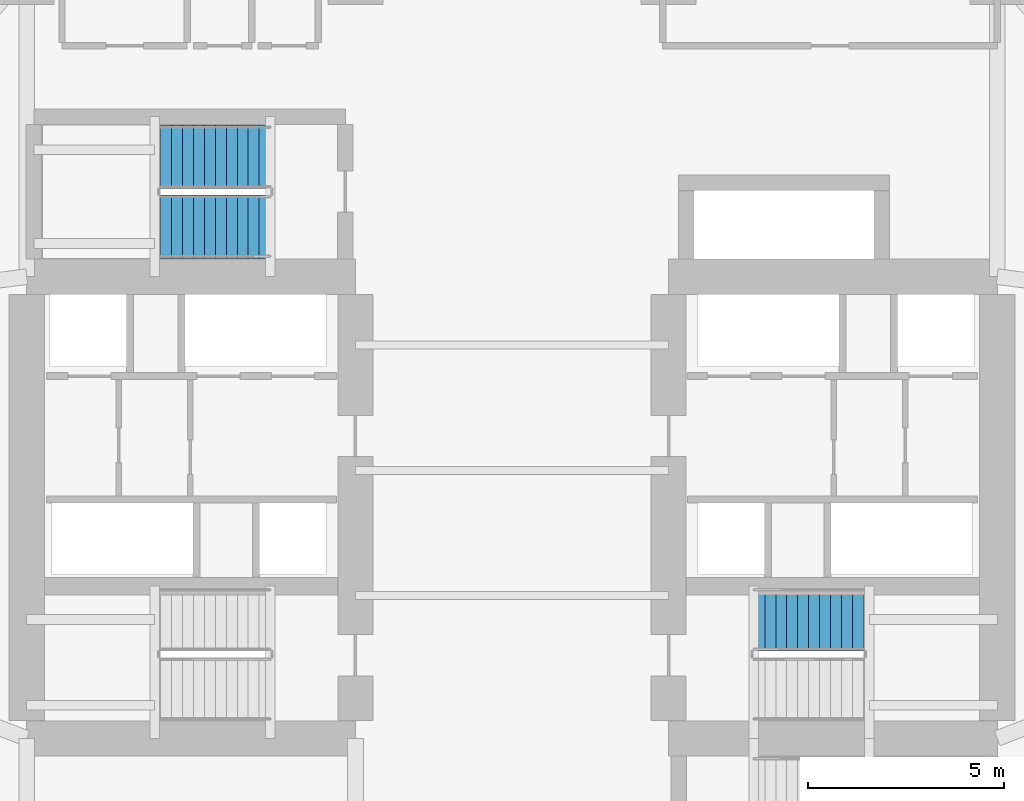
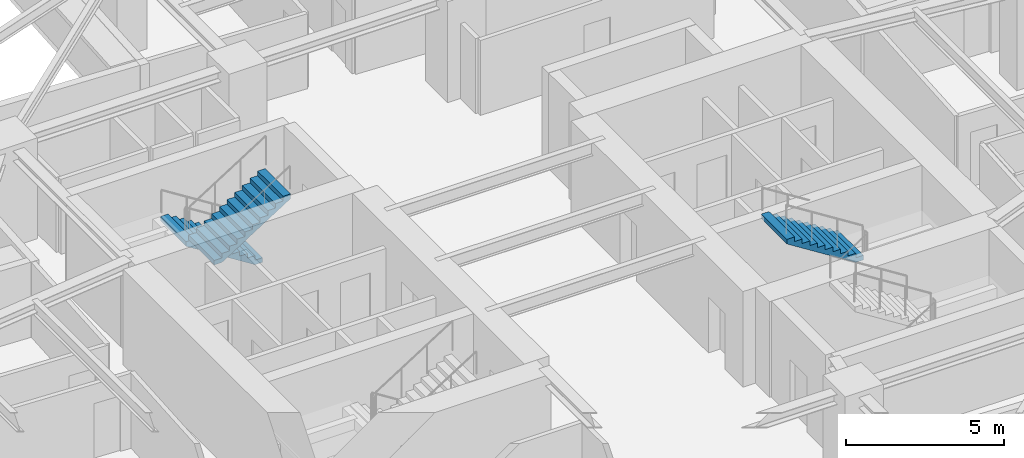
# One storey, part 9 of 14: 3 stair flights, 2 elements without a shape of their own.
"""IFC4 building model written with IfcOpenShell, lengths in metres."""

from ifc_helpers import new_model, si_unit, direction, frame, origin, place, context, subcontext, project, spatial, polyline, outline, extrude, material, layer, layer_set, type_object, element, aggregate, save


model = new_model("IFC4")

# Units and contexts
model_context = context("Model", 3, precision=1e-05, world=origin(), true_north=direction((0.0, 1.0)))
body_context = subcontext(model_context, "Body", "Model", "MODEL_VIEW")
ifc_project = project(units=[si_unit("LENGTHUNIT", "METRE"), si_unit("AREAUNIT", "SQUARE_METRE"), si_unit("VOLUMEUNIT", "CUBIC_METRE"), si_unit("PLANEANGLEUNIT", "RADIAN"), si_unit("MASSUNIT", "GRAM", prefix="KILO")], contexts=[model_context])

# Site, building, storey
site_placement = place(None, origin())
site = spatial("IfcSite", under=ifc_project, at=site_placement, CompositionType="ELEMENT")
building_placement = place(site_placement, origin())
building = spatial("IfcBuilding", under=site, at=building_placement, Name="Qingluan Cross Belvedere", CompositionType="ELEMENT")
storey_placement = place(building_placement, frame((0.0, 0.0, 75.60009765625)))
storey = spatial("IfcBuildingStorey", under=building, at=storey_placement, Name="L19", CompositionType="ELEMENT", Elevation=75.60009765625)

# Stair, stair flight
ifc_material_1 = material(Name="Concrete C40", Category="concrete")
stair_type = type_object("IfcStairType", Name="CoreDoglegStair_1620", PredefinedType="HALF_TURN_STAIR", material=ifc_material_1)
stair_1_placement = place(storey_placement, origin())
stair_1 = element("IfcStair", 1, at=stair_1_placement, inside=storey, type_object=stair_type, Name="L19 ST2", PredefinedType="HALF_TURN_STAIR")
ifc_material_2 = material(Name="Concrete C40", Category="concrete")
ifc_layer = layer(ifc_material_2, 0.179931640625, Name="StairFlight_RC180")
ifc_layer_set = layer_set([ifc_layer], Name="Concrete C40")
stair_flight_type = type_object("IfcStairFlightType", Name="StairFlight_RC180", PredefinedType="STRAIGHT", material=ifc_layer_set)
stair_flight_1_placement = place(storey_placement, frame((8.97998046875, -3.81005859375, 1.949951171875), z_axis=(0.0, 0.0, 1.0), x_axis=(-1.0, 0.0, 0.0)))
stair_flight_1 = element("IfcStairFlight", 2, at=stair_flight_1_placement, type_object=stair_flight_type, Name="ST2 flight 2", NumberOfRisers=11, NumberOfTreads=10, PredefinedType="STRAIGHT", RiserHeight=0.177272727, TreadLength=0.28, context=body_context, shape_type="SweptSolid", body=[
    extrude(outline(polyline([(0.0, 0.0), (0.0, 0.17724609375), (0.280029296875, 0.17724609375), (0.280029296875, 0.3544921875), (0.56005859375, 0.3544921875), (0.56005859375, 0.53173828125), (0.840087890625, 0.53173828125), (0.840087890625, 0.708984375), (1.1201171875, 0.708984375), (1.1201171875, 0.886474609375), (1.39990234375, 0.886474609375), (1.39990234375, 1.063720703125), (1.679931640625, 1.063720703125), (1.679931640625, 1.240966796875), (1.9599609375, 1.240966796875), (1.9599609375, 1.418212890625), (2.239990234375, 1.418212890625), (2.239990234375, 1.595458984375), (2.52001953125, 1.595458984375), (2.52001953125, 1.772705078125), (2.800048828125, 1.772705078125), (2.800048828125, 1.949951171875), (2.800048828125, 1.59521484375), (0.2802734375, 0.0), (0.0, 0.0)])), frame((0.0, 0.81005859375, 0.0), z_axis=(0.0, -1.0, 0.0), x_axis=(1.0, 0.0, 0.0)), (0.0, 0.0, 1.0), 1.6201171875),
])
aggregate(stair_1, [stair_flight_1])

# Stair, stair flights
stair_2_placement = place(storey_placement, origin())
stair_2 = element("IfcStair", 3, at=stair_2_placement, inside=storey, type_object=stair_type, Name="L19 ST3", PredefinedType="HALF_TURN_STAIR")
stair_flight_2_placement = place(storey_placement, frame((-6.179931640625, 8.010009765625, 0.0), z_axis=(0.0, 0.0, 1.0), x_axis=(-1.0, 0.0, 0.0)))
stair_flight_2 = element("IfcStairFlight", 4, at=stair_flight_2_placement, type_object=stair_flight_type, Name="ST3 flight 1", NumberOfRisers=11, NumberOfTreads=10, PredefinedType="STRAIGHT", RiserHeight=0.177272727, TreadLength=0.28, context=body_context, shape_type="SweptSolid", body=[
    extrude(outline(polyline([(0.0, 0.0), (0.0, 0.17724609375), (0.280029296875, 0.17724609375), (0.280029296875, 0.3544921875), (0.56005859375, 0.3544921875), (0.56005859375, 0.53173828125), (0.840087890625, 0.53173828125), (0.840087890625, 0.708984375), (1.1201171875, 0.708984375), (1.1201171875, 0.886474609375), (1.39990234375, 0.886474609375), (1.39990234375, 1.063720703125), (1.679931640625, 1.063720703125), (1.679931640625, 1.240966796875), (1.9599609375, 1.240966796875), (1.9599609375, 1.418212890625), (2.239990234375, 1.418212890625), (2.239990234375, 1.595458984375), (2.52001953125, 1.595458984375), (2.52001953125, 1.772705078125), (2.800048828125, 1.772705078125), (2.800048828125, 1.949951171875), (2.800048828125, 1.59521484375), (0.2802734375, 0.0), (0.0, 0.0)])), frame((0.0, 0.81005859375, 0.0), z_axis=(0.0, -1.0, 0.0), x_axis=(1.0, 0.0, 0.0)), (0.0, 0.0, 1.0), 1.6201171875),
])
stair_flight_3_placement = place(storey_placement, frame((-8.97998046875, 6.22998046875, 1.949951171875), z_axis=(0.0, 0.0, 1.0), x_axis=(1.0, 0.0, 0.0)))
stair_flight_3 = element("IfcStairFlight", 5, at=stair_flight_3_placement, type_object=stair_flight_type, Name="ST3 flight 2", NumberOfRisers=11, NumberOfTreads=10, PredefinedType="STRAIGHT", RiserHeight=0.177272727, TreadLength=0.28, context=body_context, shape_type="SweptSolid", body=[
    extrude(outline(polyline([(0.0, 0.0), (0.0, 0.17724609375), (0.280029296875, 0.17724609375), (0.280029296875, 0.3544921875), (0.56005859375, 0.3544921875), (0.56005859375, 0.53173828125), (0.840087890625, 0.53173828125), (0.840087890625, 0.708984375), (1.1201171875, 0.708984375), (1.1201171875, 0.886474609375), (1.39990234375, 0.886474609375), (1.39990234375, 1.063720703125), (1.679931640625, 1.063720703125), (1.679931640625, 1.240966796875), (1.9599609375, 1.240966796875), (1.9599609375, 1.418212890625), (2.239990234375, 1.418212890625), (2.239990234375, 1.595458984375), (2.52001953125, 1.595458984375), (2.52001953125, 1.772705078125), (2.800048828125, 1.772705078125), (2.800048828125, 1.949951171875), (2.800048828125, 1.59521484375), (0.2802734375, 0.0), (0.0, 0.0)])), frame((0.0, 0.81005859375, 0.0), z_axis=(0.0, -1.0, 0.0), x_axis=(1.0, 0.0, 0.0)), (0.0, 0.0, 1.0), 1.6201171875),
])
aggregate(stair_2, [stair_flight_2, stair_flight_3])

save(model, "model.ifc")
